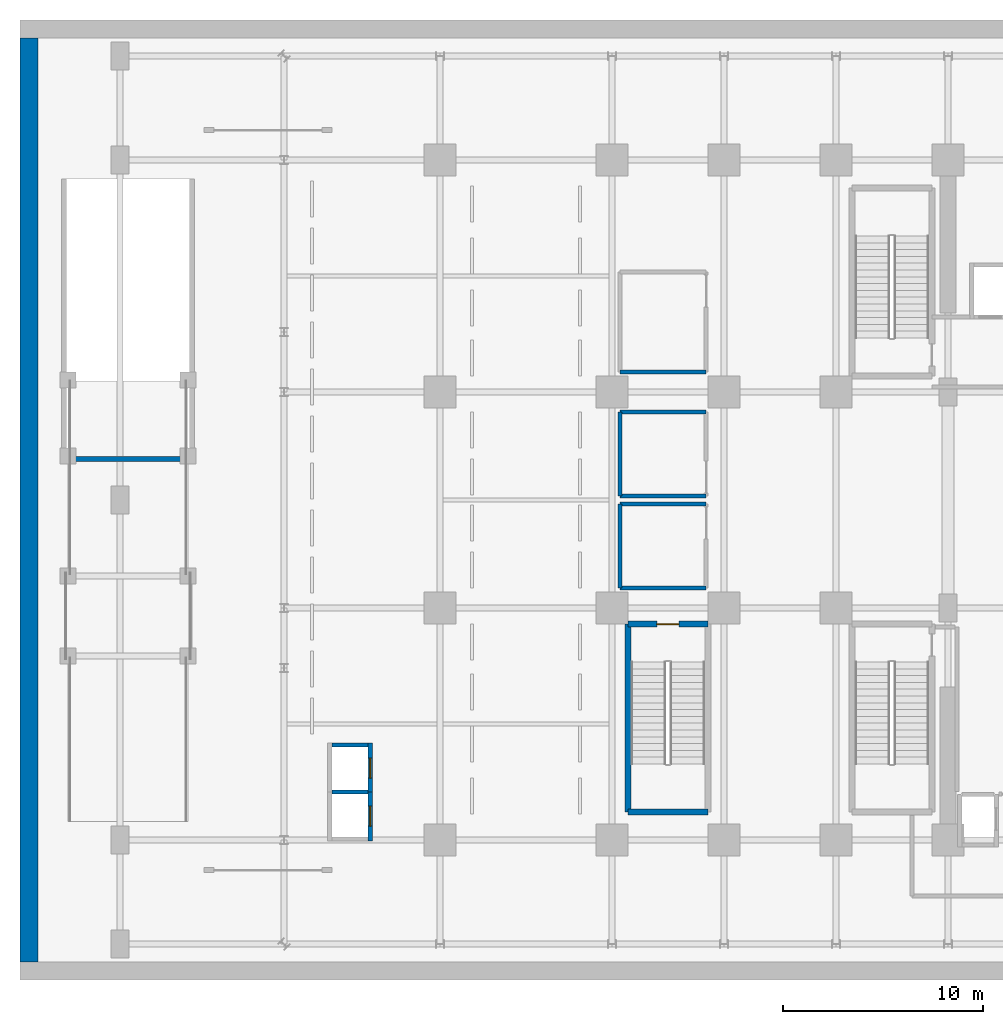
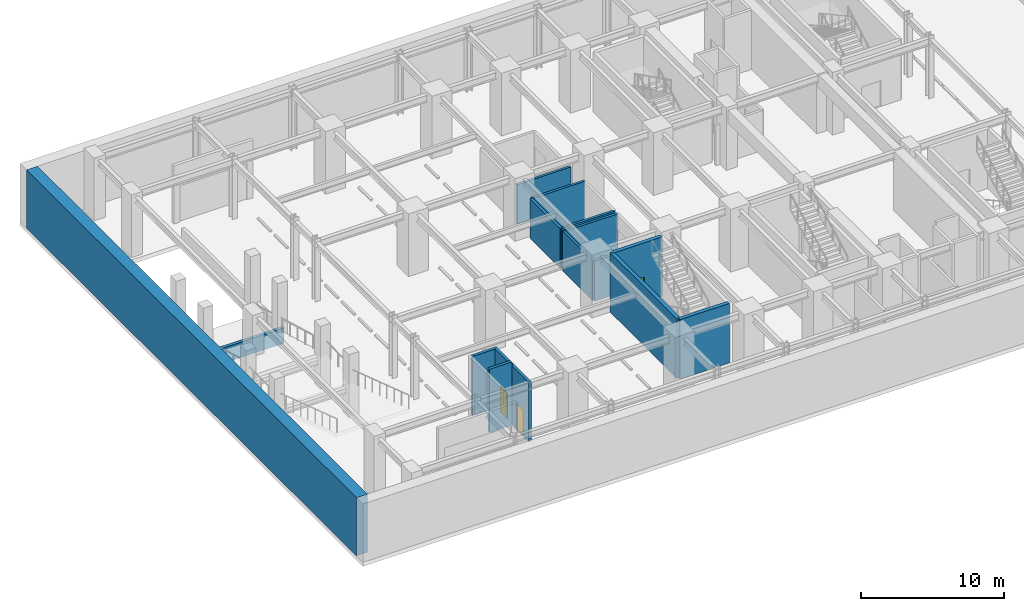
# One storey, part 5 of 10: 16 walls, 3 doors, 3 openings.
"""IFC4 building model written with IfcOpenShell, lengths in metres."""

from ifc_helpers import new_model, si_unit, direction, frame, frame_2d, origin, place, context, subcontext, project, spatial, rectangle, extrude, source, transform, mapped, material, layer, layer_set, type_object, element, fill, save


model = new_model("IFC4")

# Units and contexts
model_context = context("Model", 3, precision=1e-05, world=origin(), true_north=direction((0.0, 1.0)))
body_context = subcontext(model_context, "Body", "Model", "MODEL_VIEW")
ifc_project = project(units=[si_unit("LENGTHUNIT", "METRE"), si_unit("AREAUNIT", "SQUARE_METRE"), si_unit("VOLUMEUNIT", "CUBIC_METRE"), si_unit("PLANEANGLEUNIT", "RADIAN"), si_unit("MASSUNIT", "GRAM", prefix="KILO")], contexts=[model_context])

# Site, building, storey
site_placement = place(None, origin())
site = spatial("IfcSite", under=ifc_project, at=site_placement, CompositionType="ELEMENT")
building_placement = place(site_placement, origin())
building = spatial("IfcBuilding", under=site, at=building_placement, Name="Nahalor Promenade Grand Hotel", CompositionType="ELEMENT")
storey_placement = place(building_placement, frame((0.0, 0.0, -5.39990234375)))
storey = spatial("IfcBuildingStorey", under=building, at=storey_placement, Name="B01", CompositionType="ELEMENT", Elevation=-5.39990234375)

# Walls
ifc_material_1 = material(Name="Concrete B-50 (C40/50)", Category="concrete")
ifc_layer_1 = layer(ifc_material_1, 0.89990234375)
ifc_layer_set_1 = layer_set([ifc_layer_1], Name="Concrete B-50 (C40/50)")
wall_type_1 = type_object("IfcWallType", Name="Wall-Diaphragm-900", PredefinedType="SHEAR", material=ifc_layer_set_1)
shared_shape_1 = source(origin(), body_context, "Body", "SweptSolid", [
    extrude(rectangle(XDim=46.2001953125, YDim=0.89990234375, at=frame_2d((23.10009765625, 0.0))), origin(), (0.0, 0.0, 1.0), 4.97998046875),
])
wall_1_placement = place(storey_placement, frame((-37.550048828125, -23.10009765625, 0.0), z_axis=(0.0, 0.0, 1.0), x_axis=(0.0, 1.0, 0.0)))
element("IfcWall", 1, at=wall_1_placement, inside=storey, type_object=wall_type_1, Name="DW-B01-W", PredefinedType="SHEAR", context=body_context, shape_type="MappedRepresentation", body=[
    mapped(shared_shape_1, transform((0.0, 0.0, 0.0), scale=1.0)),
])
ifc_layer_2 = layer(ifc_material_1, 0.300048828125)
ifc_layer_set_2 = layer_set([ifc_layer_2], Name="Concrete B-50 (C40/50)")
wall_type_2 = type_object("IfcWallType", Name="Wall-ShaftShear-300", PredefinedType="SHEAR", material=ifc_layer_set_2)
shared_shape_2 = source(origin(), body_context, "Body", "SweptSolid", [
    extrude(rectangle(XDim=3.97998046875, YDim=0.300048828125, at=frame_2d((1.989990234375, 0.0))), origin(), (0.0, 0.0, 1.0), 5.079833984375),
])
wall_2_placement = place(storey_placement, frame((-7.590087890625, -15.590087890625, 0.0), z_axis=(0.0, 0.0, 1.0), x_axis=(1.0, 0.0, 0.0)))
element("IfcWall", 2, at=wall_2_placement, inside=storey, type_object=wall_type_2, Name="B01 Exit Stair ST3 Shaft Wall S", PredefinedType="SHEAR", context=body_context, shape_type="MappedRepresentation", body=[
    mapped(shared_shape_2, transform((0.0, 0.0, 0.0), scale=1.0)),
])

# Wall, opening, door
wall_3_placement = place(storey_placement, frame((-7.590087890625, -6.2099609375, 0.0), z_axis=(0.0, 0.0, 1.0), x_axis=(1.0, 0.0, 0.0)))
wall_3 = element("IfcWall", 3, at=wall_3_placement, inside=storey, type_object=wall_type_2, Name="B01 Exit Stair ST3 Shaft Wall N", PredefinedType="SHEAR", context=body_context, shape_type="MappedRepresentation", body=[
    mapped(shared_shape_2, transform((0.0, 0.0, 0.0), scale=1.0)),
])
opening_1_placement = place(wall_3_placement, frame((1.43994140625, 0.0, 0.0)))
opening_1 = element("IfcOpeningElement", 4, at=opening_1_placement, cuts=wall_3, Name="Opening D-ST1", PredefinedType="OPENING", context=body_context, shape_type="SweptSolid", body=[
    extrude(rectangle(XDim=1.10009765625, YDim=2.14990234375, at=frame_2d((0.550048828125, 1.074951171875))), frame((0.0, 0.159912109375, 0.0), z_axis=(0.0, -1.0, 0.0), x_axis=(1.0, 0.0, 0.0)), (0.0, 0.0, 1.0), 0.320068359375),
])
ifc_material_2 = material(Name="Steel S355JR", Category="steel")
door_type_1 = type_object("IfcDoorType", Name="Door-StairFire-1100", OperationType="NOTDEFINED", PredefinedType="DOOR", material=ifc_material_2)
shared_shape_3 = source(origin(), body_context, "Body", "SweptSolid", [
    extrude(rectangle(XDim=1.10009765625, YDim=2.14990234375, at=frame_2d((0.550048828125, 1.074951171875))), frame((0.0, 0.02490234375, 0.0), z_axis=(0.0, -1.0, 0.0), x_axis=(1.0, 0.0, 0.0)), (0.0, 0.0, 1.0), 0.050048828125),
])
door_1_placement = place(opening_1_placement, frame((1.10009765625, 0.0, 0.0), z_axis=(0.0, 0.0, 1.0), x_axis=(-1.0, 0.0, 0.0)))
door_1 = element("IfcDoor", 5, at=door_1_placement, inside=storey, type_object=door_type_1, Name="DR-STAIR-ST3-B01", OperationType="SINGLE_SWING_RIGHT", OverallHeight=2.14990234375, OverallWidth=1.10009765625, PredefinedType="DOOR", context=body_context, shape_type="MappedRepresentation", body=[
    mapped(shared_shape_3, transform((0.0, 0.0, 0.0), scale=1.0)),
])
fill(opening_1, door_1)

# Wall
shared_shape_4 = source(origin(), body_context, "Body", "SweptSolid", [
    extrude(rectangle(XDim=9.380126953125, YDim=0.300048828125, at=frame_2d((4.68994140625, 0.0))), origin(), (0.0, 0.0, 1.0), 5.079833984375),
])
wall_4_placement = place(storey_placement, frame((-7.590087890625, -15.590087890625, 0.0), z_axis=(0.0, 0.0, 1.0), x_axis=(0.0, 1.0, 0.0)))
element("IfcWall", 6, at=wall_4_placement, inside=storey, type_object=wall_type_2, Name="B01 Exit Stair ST3 Shaft Wall W", PredefinedType="SHEAR", context=body_context, shape_type="MappedRepresentation", body=[
    mapped(shared_shape_4, transform((0.0, 0.0, 0.0), scale=1.0)),
])

# Wall, opening, door
ifc_layer_3 = layer(ifc_material_1, 0.219970703125)
ifc_layer_set_3 = layer_set([ifc_layer_3], Name="Concrete B-50 (C40/50)")
wall_type_3 = type_object("IfcWallType", Name="Wall-LiftShaft-220", PredefinedType="SHEAR", material=ifc_layer_set_3)
shared_shape_5 = source(origin(), body_context, "Body", "SweptSolid", [
    extrude(rectangle(XDim=2.4599609375, YDim=0.219970703125, at=frame_2d((1.22998046875, 0.0))), origin(), (0.0, 0.0, 1.0), 5.079833984375),
])
wall_5_placement = place(storey_placement, frame((-20.47998046875, -17.06005859375, 0.0), z_axis=(0.0, 0.0, 1.0), x_axis=(0.0, 1.0, 0.0)))
wall_5 = element("IfcWall", 7, at=wall_5_placement, inside=storey, type_object=wall_type_3, Name="B01 Lift PD1 Hoistway Wall E", PredefinedType="SHEAR", context=body_context, shape_type="MappedRepresentation", body=[
    mapped(shared_shape_5, transform((0.0, 0.0, 0.0), scale=1.0)),
])
opening_2_placement = place(wall_5_placement, frame((0.760009765625, 0.0, 0.0)))
opening_2 = element("IfcOpeningElement", 8, at=opening_2_placement, cuts=wall_5, Name="Opening LD-01", PredefinedType="OPENING", context=body_context, shape_type="SweptSolid", body=[
    extrude(rectangle(XDim=1.0, YDim=2.199951171875, at=frame_2d((0.5, 1.10009765625))), frame((0.0, 0.119873046875, 0.0), z_axis=(0.0, -1.0, 0.0), x_axis=(1.0, 0.0, 0.0)), (0.0, 0.0, 1.0), 0.239990234375),
])
door_type_2 = type_object("IfcDoorType", Name="Door-LiftLanding-1000", OperationType="DOUBLE_DOOR_SLIDING", PredefinedType="DOOR", material=ifc_material_2)
shared_shape_6 = source(origin(), body_context, "Body", "SweptSolid", [
    extrude(rectangle(XDim=1.0, YDim=2.199951171875, at=frame_2d((0.5, 1.10009765625))), frame((0.0, 0.02490234375, 0.0), z_axis=(0.0, -1.0, 0.0), x_axis=(1.0, 0.0, 0.0)), (0.0, 0.0, 1.0), 0.050048828125),
])
door_2_placement = place(opening_2_placement, frame((1.0, 0.0, 0.0), z_axis=(0.0, 0.0, 1.0), x_axis=(-1.0, 0.0, 0.0)))
door_2 = element("IfcDoor", 9, at=door_2_placement, inside=storey, type_object=door_type_2, Name="DR-LIFT-PD1-B01", OperationType="DOUBLE_DOOR_SLIDING", OverallHeight=2.199951171875, OverallWidth=1.0, PredefinedType="DOOR", context=body_context, shape_type="MappedRepresentation", body=[
    mapped(shared_shape_6, transform((0.0, 0.0, 0.0), scale=1.0)),
])
fill(opening_2, door_2)

# Walls
shared_shape_7 = source(origin(), body_context, "Body", "SweptSolid", [
    extrude(rectangle(XDim=1.81982421875, YDim=0.219970703125, at=frame_2d((0.909912109375, 0.0))), origin(), (0.0, 0.0, 1.0), 5.079833984375),
])
wall_6_placement = place(storey_placement, frame((-22.409912109375, -12.25, 0.0), z_axis=(0.0, 0.0, 1.0), x_axis=(1.0, 0.0, 0.0)))
element("IfcWall", 10, at=wall_6_placement, inside=storey, type_object=wall_type_3, Name="B01 Lift PD2 Hoistway Wall N", PredefinedType="SHEAR", context=body_context, shape_type="MappedRepresentation", body=[
    mapped(shared_shape_7, transform((0.0, 0.0, 0.0), scale=1.0)),
])
shared_shape_8 = source(origin(), body_context, "Body", "SweptSolid", [
    extrude(rectangle(XDim=1.81982421875, YDim=0.219970703125, at=frame_2d((0.909912109375, 0.0))), origin(), (0.0, 0.0, 1.0), 5.39990234375),
])
wall_7_placement = place(storey_placement, frame((-22.409912109375, -14.60009765625, 0.0), z_axis=(0.0, 0.0, 1.0), x_axis=(1.0, 0.0, 0.0)))
element("IfcWall", 11, at=wall_7_placement, inside=storey, type_object=wall_type_3, Name="B01 Lift PD1 Hoistway Wall N", PredefinedType="SHEAR", context=body_context, shape_type="MappedRepresentation", body=[
    mapped(shared_shape_8, transform((0.0, 0.0, 0.0), scale=1.0)),
])

# Wall, opening, door
shared_shape_9 = source(origin(), body_context, "Body", "SweptSolid", [
    extrude(rectangle(XDim=2.460205078125, YDim=0.219970703125, at=frame_2d((1.22998046875, 0.0))), origin(), (0.0, 0.0, 1.0), 5.079833984375),
])
wall_8_placement = place(storey_placement, frame((-20.47998046875, -14.60009765625, 0.0), z_axis=(0.0, 0.0, 1.0), x_axis=(0.0, 1.0, 0.0)))
wall_8 = element("IfcWall", 12, at=wall_8_placement, inside=storey, type_object=wall_type_3, Name="B01 Lift PD2 Hoistway Wall E", PredefinedType="SHEAR", context=body_context, shape_type="MappedRepresentation", body=[
    mapped(shared_shape_9, transform((0.0, 0.0, 0.0), scale=1.0)),
])
opening_3_placement = place(wall_8_placement, frame((0.699951171875, 0.0, 0.0)))
opening_3 = element("IfcOpeningElement", 13, at=opening_3_placement, cuts=wall_8, Name="Opening LD-01", PredefinedType="OPENING", context=body_context, shape_type="SweptSolid", body=[
    extrude(rectangle(XDim=1.0, YDim=2.199951171875, at=frame_2d((0.5, 1.10009765625))), frame((0.0, 0.119873046875, 0.0), z_axis=(0.0, -1.0, 0.0), x_axis=(1.0, 0.0, 0.0)), (0.0, 0.0, 1.0), 0.239990234375),
])
door_3_placement = place(opening_3_placement, frame((1.0, 0.0, 0.0), z_axis=(0.0, 0.0, 1.0), x_axis=(-1.0, 0.0, 0.0)))
door_3 = element("IfcDoor", 14, at=door_3_placement, inside=storey, type_object=door_type_2, Name="DR-LIFT-PD2-B01", OperationType="DOUBLE_DOOR_SLIDING", OverallHeight=2.199951171875, OverallWidth=1.0, PredefinedType="DOOR", context=body_context, shape_type="MappedRepresentation", body=[
    mapped(shared_shape_6, transform((0.0, 0.0, 0.0), scale=1.0)),
])
fill(opening_3, door_3)

# Walls
ifc_layer_4 = layer(ifc_material_1, 0.25)
ifc_layer_set_4 = layer_set([ifc_layer_4], Name="Concrete B-50 (C40/50)")
wall_type_4 = type_object("IfcWallType", Name="Wall-RampKerb-250", PredefinedType="PARTITIONING", material=ifc_layer_set_4)
shared_shape_10 = source(origin(), body_context, "Body", "SweptSolid", [
    extrude(rectangle(XDim=6.400146484375, YDim=0.25, at=frame_2d((3.2001953125, 0.0))), origin(), (0.0, 0.0, 1.0), 1.2998046875),
])
wall_9_placement = place(storey_placement, frame((-35.800048828125, 2.050048828125, 0.0), z_axis=(0.0, 0.0, 1.0), x_axis=(1.0, 0.0, 0.0)))
element("IfcWall", 15, at=wall_9_placement, inside=storey, type_object=wall_type_4, Name="W-RWELL-B01-END", PredefinedType="PARTITIONING", context=body_context, shape_type="MappedRepresentation", body=[
    mapped(shared_shape_10, transform((0.0, 0.0, 0.0), scale=1.0)),
])
ifc_material_3 = material(Name="Concrete B-40 (C32/40)", Category="concrete")
ifc_layer_5 = layer(ifc_material_3, 0.199951171875)
ifc_layer_set_5 = layer_set([ifc_layer_5], Name="Concrete B-40 (C32/40)")
wall_type_5 = type_object("IfcWallType", Name="Wall-PartFire-200", PredefinedType="PARTITIONING", material=ifc_layer_set_5)
shared_shape_11 = source(origin(), body_context, "Body", "SweptSolid", [
    extrude(rectangle(XDim=4.300048828125, YDim=0.199951171875, at=frame_2d((2.14990234375, 0.0))), origin(), (0.0, 0.0, 1.0), 3.39990234375),
])
for number, where, z_axis, x_axis, name in (
    (16, (-8.0, -4.39990234375, 0.0), (0.0, 0.0, 1.0), (1.0, 0.0, 0.0), "W-B01-BPL1-S"),
    (17, (-8.0, -0.199951171875, 0.0), (0.0, 0.0, 1.0), (1.0, 0.0, 0.0), "W-B01-BPL1-N"),
    (18, (-8.0, 0.199951171875, 0.0), (0.0, 0.0, 1.0), (1.0, 0.0, 0.0), "W-B01-BPL2-S"),
    (19, (-8.0, 4.39990234375, 0.0), (0.0, 0.0, 1.0), (1.0, 0.0, 0.0), "W-B01-BPL2-N"),
    (20, (-8.0, 6.39990234375, 0.0), (0.0, 0.0, 1.0), (1.0, 0.0, 0.0), "W-B01-BPL3-S"),
):
    element("IfcWall", number, at=place(storey_placement, frame(where, z_axis=z_axis, x_axis=x_axis)), inside=storey, type_object=wall_type_5, Name=name, PredefinedType="PARTITIONING", context=body_context, shape_type="MappedRepresentation", body=[
        mapped(shared_shape_11, transform((0.0, 0.0, 0.0), scale=1.0)),
    ])
shared_shape_12 = source(origin(), body_context, "Body", "SweptSolid", [
    extrude(rectangle(XDim=4.199951171875, YDim=0.199951171875, at=frame_2d((2.10009765625, 0.0))), origin(), (0.0, 0.0, 1.0), 3.39990234375),
])
for number, where, z_axis, x_axis, name in (
    (21, (-8.0, -4.39990234375, 0.0), (0.0, 0.0, 1.0), (0.0, 1.0, 0.0), "W-B01-BPL1-W"),
    (22, (-8.0, 0.199951171875, 0.0), (0.0, 0.0, 1.0), (0.0, 1.0, 0.0), "W-B01-BPL2-W"),
):
    element("IfcWall", number, at=place(storey_placement, frame(where, z_axis=z_axis, x_axis=x_axis)), inside=storey, type_object=wall_type_5, Name=name, PredefinedType="PARTITIONING", context=body_context, shape_type="MappedRepresentation", body=[
        mapped(shared_shape_12, transform((0.0, 0.0, 0.0), scale=1.0)),
    ])

save(model, "model.ifc")
